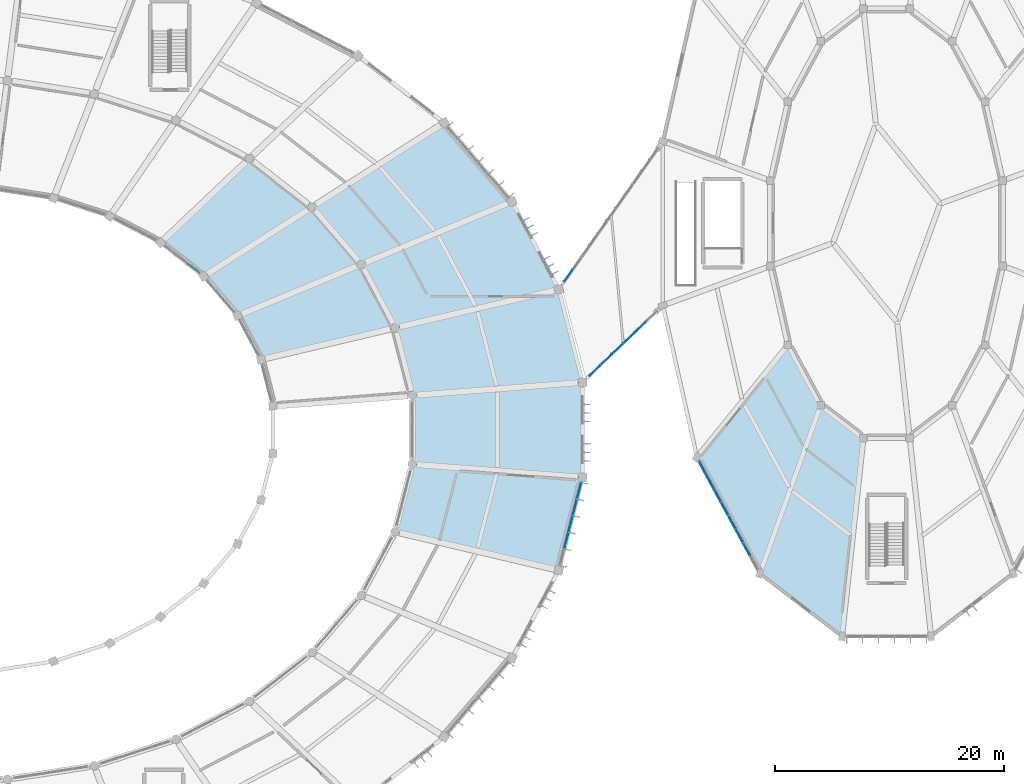
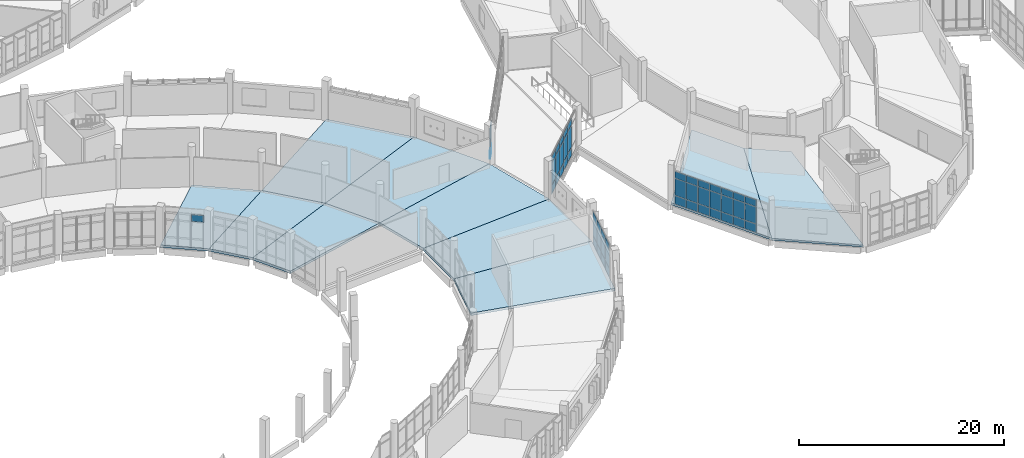
# One storey, part 99 of 179: 51 plates, 10 slabs, 5 elements without a shape of their own.
"""IFC4 building model written with IfcOpenShell, lengths in metres."""

from ifc_helpers import new_model, si_unit, direction, frame, origin, origin_2d, place, context, subcontext, project, spatial, polyline, rectangle, outline, extrude, material, layer, layer_set, type_object, element, aggregate, save


model = new_model("IFC4")

# Units and contexts
model_context = context("Model", 3, precision=1e-05, world=origin(), true_north=direction((0.0, 1.0)))
body_context = subcontext(model_context, "Body", "Model", "MODEL_VIEW")
ifc_project = project(units=[si_unit("LENGTHUNIT", "METRE"), si_unit("AREAUNIT", "SQUARE_METRE"), si_unit("VOLUMEUNIT", "CUBIC_METRE"), si_unit("PLANEANGLEUNIT", "RADIAN"), si_unit("MASSUNIT", "GRAM", prefix="KILO")], contexts=[model_context])

# Site, building, storey
site_placement = place(None, origin())
site = spatial("IfcSite", under=ifc_project, at=site_placement, CompositionType="ELEMENT")
building_placement = place(site_placement, origin())
building = spatial("IfcBuilding", under=site, at=building_placement, Name="Corvandel Quay Wholesale Market", CompositionType="ELEMENT")
storey_placement = place(building_placement, frame((0.0, 0.0, 6.0)))
storey = spatial("IfcBuildingStorey", under=building, at=storey_placement, Name="L01", CompositionType="ELEMENT", Elevation=6.0)

# Curtain wall, plate
ifc_material_1 = material(Name="Bronze anodised aluminium and low-E insulated glazing", Category="aluminium")
ifc_layer_1 = layer(ifc_material_1, 0.18603515625)
ifc_layer_set_1 = layer_set([ifc_layer_1], Name="Bronze anodised aluminium and low-E insulated glazing")
curtain_wall_type_1 = type_object("IfcCurtainWallType", Name="Stick Curtain Wall System CW18 H4620", PredefinedType="NOTDEFINED", material=ifc_layer_set_1)
curtain_wall_1_placement = place(storey_placement, origin())
curtain_wall_1 = element("IfcCurtainWall", 1, at=curtain_wall_1_placement, inside=storey, type_object=curtain_wall_type_1, Name="Curtain Wall CW-0010", PredefinedType="NOTDEFINED")
ifc_material_2 = material(Name="Solar-control low-E insulated glazing", Category="glass")
ifc_layer_2 = layer(ifc_material_2, 0.0400390625)
ifc_layer_set_2 = layer_set([ifc_layer_2], Name="Solar-control low-E insulated glazing")
plate_type_1 = type_object("IfcPlateType", Name="Ceramic Fritted Spandrel Panel PN03 40mm", PredefinedType="CURTAIN_PANEL", material=ifc_layer_set_2)
plate_1_placement = place(storey_placement, frame((134.10302734375, 56.062744140625, 3.1298828125), z_axis=(0.0, 0.0, 1.0), x_axis=(-0.789405615633, 0.613871952452, 0.0)))
plate_1 = element("IfcPlate", 2, at=plate_1_placement, type_object=plate_type_1, Name="Glazing Panel CW-0010-P00-2", PredefinedType="CURTAIN_PANEL", context=body_context, shape_type="SweptSolid", body=[
    extrude(rectangle(XDim=1.216552734375, YDim=0.0400390625, at=origin_2d()), origin(), (0.0, 0.0, 1.0), 0.7900390625),
])
aggregate(curtain_wall_1, [plate_1])

# Curtain wall, plates
ifc_layer_3 = layer(ifc_material_1, 0.174072265625)
ifc_layer_set_3 = layer_set([ifc_layer_3], Name="Bronze anodised aluminium and low-E insulated glazing")
curtain_wall_type_2 = type_object("IfcCurtainWallType", Name="Stick Curtain Wall System CW07 H3630", PredefinedType="NOTDEFINED", material=ifc_layer_set_3)
curtain_wall_2_placement = place(storey_placement, origin())
curtain_wall_2 = element("IfcCurtainWall", 3, at=curtain_wall_2_placement, inside=storey, type_object=curtain_wall_type_2, Name="Curtain Wall CW-0088", PredefinedType="NOTDEFINED")
plate_2_placement = place(storey_placement, frame((166.592041015625, 32.357666015625, 3.1298828125), z_axis=(0.0, 0.0, 1.0), x_axis=(0.247675453076, 0.968843057437, 0.0)))
plate_2 = element("IfcPlate", 4, at=plate_2_placement, type_object=plate_type_1, Name="Glazing Panel CW-0088-P01-2", PredefinedType="CURTAIN_PANEL", context=body_context, shape_type="SweptSolid", body=[
    extrude(rectangle(XDim=1.429931640625, YDim=0.0400390625, at=origin_2d()), origin(), (0.0, 0.0, 1.0), 0.7900390625),
])
plate_3_placement = place(storey_placement, frame((166.96240234375, 33.805908203125, 3.1298828125), z_axis=(0.0, 0.0, 1.0), x_axis=(0.247675453076, 0.968843057437, 0.0)))
plate_3 = element("IfcPlate", 5, at=plate_3_placement, type_object=plate_type_1, Name="Glazing Panel CW-0088-P02-2", PredefinedType="CURTAIN_PANEL", context=body_context, shape_type="SweptSolid", body=[
    extrude(rectangle(XDim=1.429931640625, YDim=0.0400390625, at=origin_2d()), origin(), (0.0, 0.0, 1.0), 0.7900390625),
])
plate_4_placement = place(storey_placement, frame((167.3330078125, 35.25439453125, 3.1298828125), z_axis=(0.0, 0.0, 1.0), x_axis=(0.247675453076, 0.968843057437, 0.0)))
plate_4 = element("IfcPlate", 6, at=plate_4_placement, type_object=plate_type_1, Name="Glazing Panel CW-0088-P03-2", PredefinedType="CURTAIN_PANEL", context=body_context, shape_type="SweptSolid", body=[
    extrude(rectangle(XDim=1.429931640625, YDim=0.0400390625, at=origin_2d()), origin(), (0.0, 0.0, 1.0), 0.7900390625),
])
plate_5_placement = place(storey_placement, frame((167.703369140625, 36.702880859375, 3.1298828125), z_axis=(0.0, 0.0, 1.0), x_axis=(0.247675453076, 0.968843057437, 0.0)))
plate_5 = element("IfcPlate", 7, at=plate_5_placement, type_object=plate_type_1, Name="Glazing Panel CW-0088-P04-2", PredefinedType="CURTAIN_PANEL", context=body_context, shape_type="SweptSolid", body=[
    extrude(rectangle(XDim=1.429931640625, YDim=0.0400390625, at=origin_2d()), origin(), (0.0, 0.0, 1.0), 0.7900390625),
])

ifc_layer_4 = layer(ifc_material_1, 0.197998046875)
ifc_layer_set_4 = layer_set([ifc_layer_4], Name="Bronze anodised aluminium and low-E insulated glazing")
curtain_wall_type_3 = type_object("IfcCurtainWallType", Name="Stick Curtain Wall System CW19 H4710", PredefinedType="NOTDEFINED", material=ifc_layer_set_4)
curtain_wall_3_placement = place(storey_placement, origin())
curtain_wall_3 = element("IfcCurtainWall", 8, at=curtain_wall_3_placement, inside=storey, type_object=curtain_wall_type_3, Name="Curtain Wall CW-0137", PredefinedType="NOTDEFINED")
plate_6_placement = place(storey_placement, frame((178.478515625, 38.667236328125, 3.1298828125), z_axis=(0.0, 0.0, 1.0), x_axis=(-0.476238203668, 0.879316310191, 0.0)))
plate_6 = element("IfcPlate", 9, at=plate_6_placement, type_object=plate_type_1, Name="Glazing Panel CW-0137-P00-2", PredefinedType="CURTAIN_PANEL", context=body_context, shape_type="SweptSolid", body=[
    extrude(rectangle(XDim=1.274658203125, YDim=0.0400390625, at=origin_2d()), origin(), (0.0, 0.0, 1.0), 0.7900390625),
])
plate_7_placement = place(storey_placement, frame((179.116455078125, 37.489501953125, 3.1298828125), z_axis=(0.0, 0.0, 1.0), x_axis=(-0.476238203668, 0.879316310191, 0.0)))
plate_7 = element("IfcPlate", 10, at=plate_7_placement, type_object=plate_type_1, Name="Glazing Panel CW-0137-P01-2", PredefinedType="CURTAIN_PANEL", context=body_context, shape_type="SweptSolid", body=[
    extrude(rectangle(XDim=1.274658203125, YDim=0.0400390625, at=origin_2d()), origin(), (0.0, 0.0, 1.0), 0.7900390625),
])
plate_8_placement = place(storey_placement, frame((179.75439453125, 36.311279296875, 3.1298828125), z_axis=(0.0, 0.0, 1.0), x_axis=(-0.476238203668, 0.879316310191, 0.0)))
plate_8 = element("IfcPlate", 11, at=plate_8_placement, type_object=plate_type_1, Name="Glazing Panel CW-0137-P02-2", PredefinedType="CURTAIN_PANEL", context=body_context, shape_type="SweptSolid", body=[
    extrude(rectangle(XDim=1.274658203125, YDim=0.0400390625, at=origin_2d()), origin(), (0.0, 0.0, 1.0), 0.7900390625),
])
plate_9_placement = place(storey_placement, frame((180.392578125, 35.133544921875, 3.1298828125), z_axis=(0.0, 0.0, 1.0), x_axis=(-0.476238203668, 0.879316310191, 0.0)))
plate_9 = element("IfcPlate", 12, at=plate_9_placement, type_object=plate_type_1, Name="Glazing Panel CW-0137-P03-2", PredefinedType="CURTAIN_PANEL", context=body_context, shape_type="SweptSolid", body=[
    extrude(rectangle(XDim=1.274658203125, YDim=0.0400390625, at=origin_2d()), origin(), (0.0, 0.0, 1.0), 0.7900390625),
])
plate_10_placement = place(storey_placement, frame((181.030517578125, 33.95556640625, 3.1298828125), z_axis=(0.0, 0.0, 1.0), x_axis=(-0.476238203668, 0.879316310191, 0.0)))
plate_10 = element("IfcPlate", 13, at=plate_10_placement, type_object=plate_type_1, Name="Glazing Panel CW-0137-P04-2", PredefinedType="CURTAIN_PANEL", context=body_context, shape_type="SweptSolid", body=[
    extrude(rectangle(XDim=1.274658203125, YDim=0.0400390625, at=origin_2d()), origin(), (0.0, 0.0, 1.0), 0.7900390625),
])
plate_11_placement = place(storey_placement, frame((181.66845703125, 32.777587890625, 3.1298828125), z_axis=(0.0, 0.0, 1.0), x_axis=(-0.476238203668, 0.879316310191, 0.0)))
plate_11 = element("IfcPlate", 14, at=plate_11_placement, type_object=plate_type_1, Name="Glazing Panel CW-0137-P05-2", PredefinedType="CURTAIN_PANEL", context=body_context, shape_type="SweptSolid", body=[
    extrude(rectangle(XDim=1.274658203125, YDim=0.0400390625, at=origin_2d()), origin(), (0.0, 0.0, 1.0), 0.7900390625),
])
plate_12_placement = place(storey_placement, frame((182.306396484375, 31.599609375, 3.1298828125), z_axis=(0.0, 0.0, 1.0), x_axis=(-0.476238203668, 0.879316310191, 0.0)))
plate_12 = element("IfcPlate", 15, at=plate_12_placement, type_object=plate_type_1, Name="Glazing Panel CW-0137-P06-2", PredefinedType="CURTAIN_PANEL", context=body_context, shape_type="SweptSolid", body=[
    extrude(rectangle(XDim=1.274658203125, YDim=0.0400390625, at=origin_2d()), origin(), (0.0, 0.0, 1.0), 0.7900390625),
])

ifc_layer_5 = layer(ifc_material_1, 0.14990234375)
ifc_layer_set_5 = layer_set([ifc_layer_5], Name="Bronze anodised aluminium and low-E insulated glazing")
curtain_wall_type_4 = type_object("IfcCurtainWallType", Name="Stick Curtain Wall System CW25 H5250", PredefinedType="NOTDEFINED", material=ifc_layer_set_5)
curtain_wall_4_placement = place(storey_placement, origin())
curtain_wall_4 = element("IfcCurtainWall", 16, at=curtain_wall_4_placement, inside=storey, type_object=curtain_wall_type_4, Name="Curtain Wall CW-0176", PredefinedType="NOTDEFINED")
plate_13_placement = place(storey_placement, frame((169.06640625, 47.157958984375, 3.7275390625), z_axis=(0.0, 0.0, 1.0), x_axis=(0.72236396206, 0.691513055782, 0.0)))
plate_13 = element("IfcPlate", 17, at=plate_13_placement, type_object=plate_type_1, Name="Glazing Panel CW-0176-P00-2", PredefinedType="CURTAIN_PANEL", context=body_context, shape_type="SweptSolid", body=[
    extrude(rectangle(XDim=1.312744140625, YDim=0.0400390625, at=origin_2d()), origin(), (0.0, 0.0, 1.0), 0.794921875),
])
plate_14_placement = place(storey_placement, frame((170.057861328125, 48.107421875, 3.7275390625), z_axis=(0.0, 0.0, 1.0), x_axis=(0.72236396206, 0.691513055782, 0.0)))
plate_14 = element("IfcPlate", 18, at=plate_14_placement, type_object=plate_type_1, Name="Glazing Panel CW-0176-P01-2", PredefinedType="CURTAIN_PANEL", context=body_context, shape_type="SweptSolid", body=[
    extrude(rectangle(XDim=1.312744140625, YDim=0.0400390625, at=origin_2d()), origin(), (0.0, 0.0, 1.0), 0.794921875),
])
plate_15_placement = place(storey_placement, frame((171.04931640625, 49.056640625, 3.7275390625), z_axis=(0.0, 0.0, 1.0), x_axis=(0.72236396206, 0.691513055782, 0.0)))
plate_15 = element("IfcPlate", 19, at=plate_15_placement, type_object=plate_type_1, Name="Glazing Panel CW-0176-P02-2", PredefinedType="CURTAIN_PANEL", context=body_context, shape_type="SweptSolid", body=[
    extrude(rectangle(XDim=1.312744140625, YDim=0.0400390625, at=origin_2d()), origin(), (0.0, 0.0, 1.0), 0.794921875),
])
plate_16_placement = place(storey_placement, frame((172.041015625, 50.005859375, 3.7275390625), z_axis=(0.0, 0.0, 1.0), x_axis=(0.72236396206, 0.691513055782, 0.0)))
plate_16 = element("IfcPlate", 20, at=plate_16_placement, type_object=plate_type_1, Name="Glazing Panel CW-0176-P03-2", PredefinedType="CURTAIN_PANEL", context=body_context, shape_type="SweptSolid", body=[
    extrude(rectangle(XDim=1.312744140625, YDim=0.0400390625, at=origin_2d()), origin(), (0.0, 0.0, 1.0), 0.794921875),
])
plate_17_placement = place(storey_placement, frame((173.032470703125, 50.955078125, 3.7275390625), z_axis=(0.0, 0.0, 1.0), x_axis=(0.72236396206, 0.691513055782, 0.0)))
plate_17 = element("IfcPlate", 21, at=plate_17_placement, type_object=plate_type_1, Name="Glazing Panel CW-0176-P04-2", PredefinedType="CURTAIN_PANEL", context=body_context, shape_type="SweptSolid", body=[
    extrude(rectangle(XDim=1.312744140625, YDim=0.0400390625, at=origin_2d()), origin(), (0.0, 0.0, 1.0), 0.794921875),
])

# Slabs
ifc_material_3 = material(Name="Concrete C40/50", Category="concrete")
ifc_layer_6 = layer(ifc_material_3, 0.239990234375)
ifc_layer_set_6 = layer_set([ifc_layer_6], Name="Concrete C40/50")
slab_type_1 = type_object("IfcSlabType", Name="Composite Raked Auction Tier Slab 240", PredefinedType="FLOOR", material=ifc_layer_set_6)
slab_1_placement = place(storey_placement, frame((0.0, 0.0, -0.239990234375)))
element("IfcSlab", 22, at=slab_1_placement, inside=storey, type_object=slab_type_1, Name="Slab SLB-0420", PredefinedType="FLOOR", context=body_context, shape_type="SweptSolid", body=[
    extrude(outline(polyline([(185.904052734375, 49.39599609375), (188.756103515625, 44.1298828125), (183.4541015625, 29.48095703125), (177.968994140625, 39.60791015625), (185.904052734375, 49.39599609375)])), origin(), (0.0, 0.0, 1.0), 0.239990234375),
])
slab_2_placement = place(storey_placement, frame((0.0, 0.0, -0.239990234375)))
element("IfcSlab", 23, at=slab_2_placement, inside=storey, type_object=slab_type_1, Name="Slab SLB-0424", PredefinedType="FLOOR", context=body_context, shape_type="SweptSolid", body=[
    extrude(outline(polyline([(188.756103515625, 44.1298828125), (192.48291015625, 41.280029296875), (190.62109375, 24.0), (183.4541015625, 29.48095703125), (188.756103515625, 44.1298828125)])), origin(), (0.0, 0.0, 1.0), 0.239990234375),
])
ifc_layer_7 = layer(ifc_material_3, 0.280029296875)
ifc_layer_set_7 = layer_set([ifc_layer_7], Name="Concrete C40/50")
slab_type_2 = type_object("IfcSlabType", Name="Composite Sorting Gallery Floor Slab 280", PredefinedType="FLOOR", material=ifc_layer_set_7)
slab_3_placement = place(storey_placement, frame((0.0, 0.0, -0.280029296875)))
element("IfcSlab", 24, at=slab_3_placement, inside=storey, type_object=slab_type_2, Name="Slab SLB-0010", PredefinedType="FLOOR", context=body_context, shape_type="SweptSolid", body=[
    extrude(outline(polyline([(139.9619140625, 48.125), (137.927001953125, 51.947021484375), (148.694091796875, 56.423095703125), (151.64501953125, 50.882080078125), (139.9619140625, 48.125)])), origin(), (0.0, 0.0, 1.0), 0.280029296875),
])
slab_4_placement = place(storey_placement, frame((0.0, 0.0, -0.280029296875)))
element("IfcSlab", 25, at=slab_4_placement, inside=storey, type_object=slab_type_2, Name="Slab SLB-0015", PredefinedType="FLOOR", context=body_context, shape_type="SweptSolid", body=[
    extrude(outline(polyline([(137.927001953125, 51.947021484375), (134.971923828125, 55.386962890625), (144.409912109375, 61.410888671875), (148.694091796875, 56.423095703125), (137.927001953125, 51.947021484375)])), origin(), (0.0, 0.0, 1.0), 0.280029296875),
])
slab_5_placement = place(storey_placement, frame((0.0, 0.0, -0.280029296875)))
element("IfcSlab", 26, at=slab_5_placement, inside=storey, type_object=slab_type_2, Name="Slab SLB-0020", PredefinedType="FLOOR", context=body_context, shape_type="SweptSolid", body=[
    extrude(outline(polyline([(134.971923828125, 55.386962890625), (131.2109375, 58.31201171875), (138.95703125, 65.652099609375), (144.409912109375, 61.410888671875), (134.971923828125, 55.386962890625)])), origin(), (0.0, 0.0, 1.0), 0.280029296875),
])
ifc_layer_8 = layer(ifc_material_3, 0.300048828125)
ifc_layer_set_8 = layer_set([ifc_layer_8], Name="Concrete C40/50")
slab_type_3 = type_object("IfcSlabType", Name="Composite Trading Gallery Floor Slab 300", PredefinedType="FLOOR", material=ifc_layer_set_8)
slab_6_placement = place(storey_placement, frame((0.0, 0.0, -0.300048828125)))
element("IfcSlab", 27, at=slab_6_placement, inside=storey, type_object=slab_type_3, Name="Slab SLB-0004", PredefinedType="FLOOR", context=body_context, shape_type="SweptSolid", body=[
    extrude(outline(polyline([(153.14990234375, 44.9990234375), (151.64501953125, 50.882080078125), (165.925048828125, 54.2509765625), (168.0, 46.136962890625), (153.14990234375, 44.9990234375)])), origin(), (0.0, 0.0, 1.0), 0.300048828125),
])
slab_7_placement = place(storey_placement, frame((0.0, 0.0, -0.300048828125)))
element("IfcSlab", 28, at=slab_7_placement, inside=storey, type_object=slab_type_3, Name="Slab SLB-0009", PredefinedType="FLOOR", context=body_context, shape_type="SweptSolid", body=[
    extrude(outline(polyline([(151.64501953125, 50.882080078125), (148.694091796875, 56.423095703125), (161.85400390625, 61.89404296875), (165.925048828125, 54.2509765625), (151.64501953125, 50.882080078125)])), origin(), (0.0, 0.0, 1.0), 0.300048828125),
])
slab_8_placement = place(storey_placement, frame((0.0, 0.0, -0.300048828125)))
element("IfcSlab", 29, at=slab_8_placement, inside=storey, type_object=slab_type_3, Name="Slab SLB-0014", PredefinedType="FLOOR", context=body_context, shape_type="SweptSolid", body=[
    extrude(outline(polyline([(148.694091796875, 56.423095703125), (144.409912109375, 61.410888671875), (155.945068359375, 68.77294921875), (161.85400390625, 61.89404296875), (148.694091796875, 56.423095703125)])), origin(), (0.0, 0.0, 1.0), 0.300048828125),
])
slab_9_placement = place(storey_placement, frame((0.0, 0.0, -0.300048828125)))
element("IfcSlab", 30, at=slab_9_placement, inside=storey, type_object=slab_type_3, Name="Slab SLB-0138", PredefinedType="FLOOR", context=body_context, shape_type="SweptSolid", body=[
    extrude(outline(polyline([(151.64501953125, 33.117919921875), (153.14990234375, 39.0009765625), (168.0, 37.863037109375), (165.925048828125, 29.7490234375), (151.64501953125, 33.117919921875)])), origin(), (0.0, 0.0, 1.0), 0.300048828125),
])
slab_10_placement = place(storey_placement, frame((0.0, 0.0, -0.300048828125)))
element("IfcSlab", 31, at=slab_10_placement, inside=storey, type_object=slab_type_3, Name="Slab SLB-0141", PredefinedType="FLOOR", context=body_context, shape_type="SweptSolid", body=[
    extrude(outline(polyline([(153.14990234375, 39.0009765625), (153.14990234375, 44.9990234375), (168.0, 46.136962890625), (168.0, 37.863037109375), (153.14990234375, 39.0009765625)])), origin(), (0.0, 0.0, 1.0), 0.300048828125),
])

# Plate
ifc_layer_9 = layer(ifc_material_2, 0.028076171875)
ifc_layer_set_9 = layer_set([ifc_layer_9], Name="Solar-control low-E insulated glazing")
plate_type_2 = type_object("IfcPlateType", Name="Double Low-E Vision Panel PN01 28mm", PredefinedType="CURTAIN_PANEL", material=ifc_layer_set_9)
plate_18_placement = place(storey_placement, frame((166.592041015625, 32.357666015625, 0.02978515625), z_axis=(0.0, 0.0, 1.0), x_axis=(0.247675453076, 0.968843057437, 0.0)))
plate_18 = element("IfcPlate", 32, at=plate_18_placement, type_object=plate_type_2, Name="Glazing Panel CW-0088-P01-0", PredefinedType="CURTAIN_PANEL", context=body_context, shape_type="SweptSolid", body=[
    extrude(rectangle(XDim=1.429931640625, YDim=0.028076171875, at=origin_2d()), origin(), (0.0, 0.0, 1.0), 0.989990234375),
])

plate_19_placement = place(storey_placement, frame((166.592041015625, 32.357666015625, 1.080078125), z_axis=(0.0, 0.0, 1.0), x_axis=(0.247675453076, 0.968843057437, 0.0)))
plate_19 = element("IfcPlate", 33, at=plate_19_placement, type_object=plate_type_2, Name="Glazing Panel CW-0088-P01-1", PredefinedType="CURTAIN_PANEL", context=body_context, shape_type="SweptSolid", body=[
    extrude(rectangle(XDim=1.429931640625, YDim=0.028076171875, at=origin_2d()), origin(), (0.0, 0.0, 1.0), 1.989990234375),
])

plate_20_placement = place(storey_placement, frame((166.96240234375, 33.805908203125, 0.02978515625), z_axis=(0.0, 0.0, 1.0), x_axis=(0.247675453076, 0.968843057437, 0.0)))
plate_20 = element("IfcPlate", 34, at=plate_20_placement, type_object=plate_type_2, Name="Glazing Panel CW-0088-P02-0", PredefinedType="CURTAIN_PANEL", context=body_context, shape_type="SweptSolid", body=[
    extrude(rectangle(XDim=1.429931640625, YDim=0.028076171875, at=origin_2d()), origin(), (0.0, 0.0, 1.0), 0.989990234375),
])

plate_21_placement = place(storey_placement, frame((166.96240234375, 33.805908203125, 1.080078125), z_axis=(0.0, 0.0, 1.0), x_axis=(0.247675453076, 0.968843057437, 0.0)))
plate_21 = element("IfcPlate", 35, at=plate_21_placement, type_object=plate_type_2, Name="Glazing Panel CW-0088-P02-1", PredefinedType="CURTAIN_PANEL", context=body_context, shape_type="SweptSolid", body=[
    extrude(rectangle(XDim=1.429931640625, YDim=0.028076171875, at=origin_2d()), origin(), (0.0, 0.0, 1.0), 1.989990234375),
])

plate_22_placement = place(storey_placement, frame((167.3330078125, 35.25439453125, 0.02978515625), z_axis=(0.0, 0.0, 1.0), x_axis=(0.247675453076, 0.968843057437, 0.0)))
plate_22 = element("IfcPlate", 36, at=plate_22_placement, type_object=plate_type_2, Name="Glazing Panel CW-0088-P03-0", PredefinedType="CURTAIN_PANEL", context=body_context, shape_type="SweptSolid", body=[
    extrude(rectangle(XDim=1.429931640625, YDim=0.028076171875, at=origin_2d()), origin(), (0.0, 0.0, 1.0), 0.989990234375),
])

plate_23_placement = place(storey_placement, frame((167.3330078125, 35.25439453125, 1.080078125), z_axis=(0.0, 0.0, 1.0), x_axis=(0.247675453076, 0.968843057437, 0.0)))
plate_23 = element("IfcPlate", 37, at=plate_23_placement, type_object=plate_type_2, Name="Glazing Panel CW-0088-P03-1", PredefinedType="CURTAIN_PANEL", context=body_context, shape_type="SweptSolid", body=[
    extrude(rectangle(XDim=1.429931640625, YDim=0.028076171875, at=origin_2d()), origin(), (0.0, 0.0, 1.0), 1.989990234375),
])

plate_24_placement = place(storey_placement, frame((167.703369140625, 36.702880859375, 0.02978515625), z_axis=(0.0, 0.0, 1.0), x_axis=(0.247675453076, 0.968843057437, 0.0)))
plate_24 = element("IfcPlate", 38, at=plate_24_placement, type_object=plate_type_2, Name="Glazing Panel CW-0088-P04-0", PredefinedType="CURTAIN_PANEL", context=body_context, shape_type="SweptSolid", body=[
    extrude(rectangle(XDim=1.429931640625, YDim=0.028076171875, at=origin_2d()), origin(), (0.0, 0.0, 1.0), 0.989990234375),
])

plate_25_placement = place(storey_placement, frame((167.703369140625, 36.702880859375, 1.080078125), z_axis=(0.0, 0.0, 1.0), x_axis=(0.247675453076, 0.968843057437, 0.0)))
plate_25 = element("IfcPlate", 39, at=plate_25_placement, type_object=plate_type_2, Name="Glazing Panel CW-0088-P04-1", PredefinedType="CURTAIN_PANEL", context=body_context, shape_type="SweptSolid", body=[
    extrude(rectangle(XDim=1.429931640625, YDim=0.028076171875, at=origin_2d()), origin(), (0.0, 0.0, 1.0), 1.989990234375),
])

aggregate(curtain_wall_2, [plate_18, plate_19, plate_2, plate_20, plate_21, plate_3, plate_22, plate_23, plate_4, plate_24, plate_25, plate_5])

plate_26_placement = place(storey_placement, frame((178.478515625, 38.667236328125, 0.02978515625), z_axis=(0.0, 0.0, 1.0), x_axis=(-0.476238203668, 0.879316310191, 0.0)))
plate_26 = element("IfcPlate", 40, at=plate_26_placement, type_object=plate_type_2, Name="Glazing Panel CW-0137-P00-0", PredefinedType="CURTAIN_PANEL", context=body_context, shape_type="SweptSolid", body=[
    extrude(rectangle(XDim=1.274658203125, YDim=0.028076171875, at=origin_2d()), origin(), (0.0, 0.0, 1.0), 0.989990234375),
])

plate_27_placement = place(storey_placement, frame((178.478515625, 38.667236328125, 1.080078125), z_axis=(0.0, 0.0, 1.0), x_axis=(-0.476238203668, 0.879316310191, 0.0)))
plate_27 = element("IfcPlate", 41, at=plate_27_placement, type_object=plate_type_2, Name="Glazing Panel CW-0137-P00-1", PredefinedType="CURTAIN_PANEL", context=body_context, shape_type="SweptSolid", body=[
    extrude(rectangle(XDim=1.274658203125, YDim=0.028076171875, at=origin_2d()), origin(), (0.0, 0.0, 1.0), 1.989990234375),
])

plate_28_placement = place(storey_placement, frame((179.116455078125, 37.489501953125, 0.02978515625), z_axis=(0.0, 0.0, 1.0), x_axis=(-0.476238203668, 0.879316310191, 0.0)))
plate_28 = element("IfcPlate", 42, at=plate_28_placement, type_object=plate_type_2, Name="Glazing Panel CW-0137-P01-0", PredefinedType="CURTAIN_PANEL", context=body_context, shape_type="SweptSolid", body=[
    extrude(rectangle(XDim=1.274658203125, YDim=0.028076171875, at=origin_2d()), origin(), (0.0, 0.0, 1.0), 0.989990234375),
])

plate_29_placement = place(storey_placement, frame((179.116455078125, 37.489501953125, 1.080078125), z_axis=(0.0, 0.0, 1.0), x_axis=(-0.476238203668, 0.879316310191, 0.0)))
plate_29 = element("IfcPlate", 43, at=plate_29_placement, type_object=plate_type_2, Name="Glazing Panel CW-0137-P01-1", PredefinedType="CURTAIN_PANEL", context=body_context, shape_type="SweptSolid", body=[
    extrude(rectangle(XDim=1.274658203125, YDim=0.028076171875, at=origin_2d()), origin(), (0.0, 0.0, 1.0), 1.989990234375),
])

plate_30_placement = place(storey_placement, frame((179.75439453125, 36.311279296875, 0.02978515625), z_axis=(0.0, 0.0, 1.0), x_axis=(-0.476238203668, 0.879316310191, 0.0)))
plate_30 = element("IfcPlate", 44, at=plate_30_placement, type_object=plate_type_2, Name="Glazing Panel CW-0137-P02-0", PredefinedType="CURTAIN_PANEL", context=body_context, shape_type="SweptSolid", body=[
    extrude(rectangle(XDim=1.274658203125, YDim=0.028076171875, at=origin_2d()), origin(), (0.0, 0.0, 1.0), 0.989990234375),
])

plate_31_placement = place(storey_placement, frame((179.75439453125, 36.311279296875, 1.080078125), z_axis=(0.0, 0.0, 1.0), x_axis=(-0.476238203668, 0.879316310191, 0.0)))
plate_31 = element("IfcPlate", 45, at=plate_31_placement, type_object=plate_type_2, Name="Glazing Panel CW-0137-P02-1", PredefinedType="CURTAIN_PANEL", context=body_context, shape_type="SweptSolid", body=[
    extrude(rectangle(XDim=1.274658203125, YDim=0.028076171875, at=origin_2d()), origin(), (0.0, 0.0, 1.0), 1.989990234375),
])

plate_32_placement = place(storey_placement, frame((180.392578125, 35.133544921875, 0.02978515625), z_axis=(0.0, 0.0, 1.0), x_axis=(-0.476238203668, 0.879316310191, 0.0)))
plate_32 = element("IfcPlate", 46, at=plate_32_placement, type_object=plate_type_2, Name="Glazing Panel CW-0137-P03-0", PredefinedType="CURTAIN_PANEL", context=body_context, shape_type="SweptSolid", body=[
    extrude(rectangle(XDim=1.274658203125, YDim=0.028076171875, at=origin_2d()), origin(), (0.0, 0.0, 1.0), 0.989990234375),
])

plate_33_placement = place(storey_placement, frame((180.392578125, 35.133544921875, 1.080078125), z_axis=(0.0, 0.0, 1.0), x_axis=(-0.476238203668, 0.879316310191, 0.0)))
plate_33 = element("IfcPlate", 47, at=plate_33_placement, type_object=plate_type_2, Name="Glazing Panel CW-0137-P03-1", PredefinedType="CURTAIN_PANEL", context=body_context, shape_type="SweptSolid", body=[
    extrude(rectangle(XDim=1.274658203125, YDim=0.028076171875, at=origin_2d()), origin(), (0.0, 0.0, 1.0), 1.989990234375),
])

plate_34_placement = place(storey_placement, frame((181.030517578125, 33.95556640625, 0.02978515625), z_axis=(0.0, 0.0, 1.0), x_axis=(-0.476238203668, 0.879316310191, 0.0)))
plate_34 = element("IfcPlate", 48, at=plate_34_placement, type_object=plate_type_2, Name="Glazing Panel CW-0137-P04-0", PredefinedType="CURTAIN_PANEL", context=body_context, shape_type="SweptSolid", body=[
    extrude(rectangle(XDim=1.274658203125, YDim=0.028076171875, at=origin_2d()), origin(), (0.0, 0.0, 1.0), 0.989990234375),
])

plate_35_placement = place(storey_placement, frame((181.030517578125, 33.95556640625, 1.080078125), z_axis=(0.0, 0.0, 1.0), x_axis=(-0.476238203668, 0.879316310191, 0.0)))
plate_35 = element("IfcPlate", 49, at=plate_35_placement, type_object=plate_type_2, Name="Glazing Panel CW-0137-P04-1", PredefinedType="CURTAIN_PANEL", context=body_context, shape_type="SweptSolid", body=[
    extrude(rectangle(XDim=1.274658203125, YDim=0.028076171875, at=origin_2d()), origin(), (0.0, 0.0, 1.0), 1.989990234375),
])

plate_36_placement = place(storey_placement, frame((181.66845703125, 32.777587890625, 0.02978515625), z_axis=(0.0, 0.0, 1.0), x_axis=(-0.476238203668, 0.879316310191, 0.0)))
plate_36 = element("IfcPlate", 50, at=plate_36_placement, type_object=plate_type_2, Name="Glazing Panel CW-0137-P05-0", PredefinedType="CURTAIN_PANEL", context=body_context, shape_type="SweptSolid", body=[
    extrude(rectangle(XDim=1.274658203125, YDim=0.028076171875, at=origin_2d()), origin(), (0.0, 0.0, 1.0), 0.989990234375),
])

plate_37_placement = place(storey_placement, frame((181.66845703125, 32.777587890625, 1.080078125), z_axis=(0.0, 0.0, 1.0), x_axis=(-0.476238203668, 0.879316310191, 0.0)))
plate_37 = element("IfcPlate", 51, at=plate_37_placement, type_object=plate_type_2, Name="Glazing Panel CW-0137-P05-1", PredefinedType="CURTAIN_PANEL", context=body_context, shape_type="SweptSolid", body=[
    extrude(rectangle(XDim=1.274658203125, YDim=0.028076171875, at=origin_2d()), origin(), (0.0, 0.0, 1.0), 1.989990234375),
])

plate_38_placement = place(storey_placement, frame((182.306396484375, 31.599609375, 0.02978515625), z_axis=(0.0, 0.0, 1.0), x_axis=(-0.476238203668, 0.879316310191, 0.0)))
plate_38 = element("IfcPlate", 52, at=plate_38_placement, type_object=plate_type_2, Name="Glazing Panel CW-0137-P06-0", PredefinedType="CURTAIN_PANEL", context=body_context, shape_type="SweptSolid", body=[
    extrude(rectangle(XDim=1.274658203125, YDim=0.028076171875, at=origin_2d()), origin(), (0.0, 0.0, 1.0), 0.989990234375),
])

plate_39_placement = place(storey_placement, frame((182.306396484375, 31.599609375, 1.080078125), z_axis=(0.0, 0.0, 1.0), x_axis=(-0.476238203668, 0.879316310191, 0.0)))
plate_39 = element("IfcPlate", 53, at=plate_39_placement, type_object=plate_type_2, Name="Glazing Panel CW-0137-P06-1", PredefinedType="CURTAIN_PANEL", context=body_context, shape_type="SweptSolid", body=[
    extrude(rectangle(XDim=1.274658203125, YDim=0.028076171875, at=origin_2d()), origin(), (0.0, 0.0, 1.0), 1.989990234375),
])

aggregate(curtain_wall_3, [plate_26, plate_27, plate_6, plate_28, plate_29, plate_7, plate_30, plate_31, plate_8, plate_32, plate_33, plate_9, plate_34, plate_35, plate_10, plate_36, plate_37, plate_11, plate_38, plate_39, plate_12])

plate_40_placement = place(storey_placement, frame((169.06640625, 47.157958984375, -0.00244140625), z_axis=(0.0, 0.0, 1.0), x_axis=(0.72236396206, 0.691513055782, 0.0)))
plate_40 = element("IfcPlate", 54, at=plate_40_placement, type_object=plate_type_2, Name="Glazing Panel CW-0176-P00-0", PredefinedType="CURTAIN_PANEL", context=body_context, shape_type="SweptSolid", body=[
    extrude(rectangle(XDim=1.312744140625, YDim=0.028076171875, at=origin_2d()), origin(), (0.0, 0.0, 1.0), 0.9951171875),
])

plate_41_placement = place(storey_placement, frame((169.06640625, 47.157958984375, 1.047607421875), z_axis=(0.0, 0.0, 1.0), x_axis=(0.72236396206, 0.691513055782, 0.0)))
plate_41 = element("IfcPlate", 55, at=plate_41_placement, type_object=plate_type_2, Name="Glazing Panel CW-0176-P00-1", PredefinedType="CURTAIN_PANEL", context=body_context, shape_type="SweptSolid", body=[
    extrude(rectangle(XDim=1.312744140625, YDim=0.028076171875, at=origin_2d()), origin(), (0.0, 0.0, 1.0), 2.625),
])

plate_42_placement = place(storey_placement, frame((170.057861328125, 48.107421875, -0.00244140625), z_axis=(0.0, 0.0, 1.0), x_axis=(0.72236396206, 0.691513055782, 0.0)))
plate_42 = element("IfcPlate", 56, at=plate_42_placement, type_object=plate_type_2, Name="Glazing Panel CW-0176-P01-0", PredefinedType="CURTAIN_PANEL", context=body_context, shape_type="SweptSolid", body=[
    extrude(rectangle(XDim=1.312744140625, YDim=0.028076171875, at=origin_2d()), origin(), (0.0, 0.0, 1.0), 0.9951171875),
])

plate_43_placement = place(storey_placement, frame((170.057861328125, 48.107421875, 1.047607421875), z_axis=(0.0, 0.0, 1.0), x_axis=(0.72236396206, 0.691513055782, 0.0)))
plate_43 = element("IfcPlate", 57, at=plate_43_placement, type_object=plate_type_2, Name="Glazing Panel CW-0176-P01-1", PredefinedType="CURTAIN_PANEL", context=body_context, shape_type="SweptSolid", body=[
    extrude(rectangle(XDim=1.312744140625, YDim=0.028076171875, at=origin_2d()), origin(), (0.0, 0.0, 1.0), 2.625),
])

plate_44_placement = place(storey_placement, frame((171.04931640625, 49.056640625, -0.00244140625), z_axis=(0.0, 0.0, 1.0), x_axis=(0.72236396206, 0.691513055782, 0.0)))
plate_44 = element("IfcPlate", 58, at=plate_44_placement, type_object=plate_type_2, Name="Glazing Panel CW-0176-P02-0", PredefinedType="CURTAIN_PANEL", context=body_context, shape_type="SweptSolid", body=[
    extrude(rectangle(XDim=1.312744140625, YDim=0.028076171875, at=origin_2d()), origin(), (0.0, 0.0, 1.0), 0.9951171875),
])

plate_45_placement = place(storey_placement, frame((171.04931640625, 49.056640625, 1.047607421875), z_axis=(0.0, 0.0, 1.0), x_axis=(0.72236396206, 0.691513055782, 0.0)))
plate_45 = element("IfcPlate", 59, at=plate_45_placement, type_object=plate_type_2, Name="Glazing Panel CW-0176-P02-1", PredefinedType="CURTAIN_PANEL", context=body_context, shape_type="SweptSolid", body=[
    extrude(rectangle(XDim=1.312744140625, YDim=0.028076171875, at=origin_2d()), origin(), (0.0, 0.0, 1.0), 2.625),
])

plate_46_placement = place(storey_placement, frame((172.041015625, 50.005859375, -0.00244140625), z_axis=(0.0, 0.0, 1.0), x_axis=(0.72236396206, 0.691513055782, 0.0)))
plate_46 = element("IfcPlate", 60, at=plate_46_placement, type_object=plate_type_2, Name="Glazing Panel CW-0176-P03-0", PredefinedType="CURTAIN_PANEL", context=body_context, shape_type="SweptSolid", body=[
    extrude(rectangle(XDim=1.312744140625, YDim=0.028076171875, at=origin_2d()), origin(), (0.0, 0.0, 1.0), 0.9951171875),
])

plate_47_placement = place(storey_placement, frame((172.041015625, 50.005859375, 1.047607421875), z_axis=(0.0, 0.0, 1.0), x_axis=(0.72236396206, 0.691513055782, 0.0)))
plate_47 = element("IfcPlate", 61, at=plate_47_placement, type_object=plate_type_2, Name="Glazing Panel CW-0176-P03-1", PredefinedType="CURTAIN_PANEL", context=body_context, shape_type="SweptSolid", body=[
    extrude(rectangle(XDim=1.312744140625, YDim=0.028076171875, at=origin_2d()), origin(), (0.0, 0.0, 1.0), 2.625),
])

plate_48_placement = place(storey_placement, frame((173.032470703125, 50.955078125, -0.00244140625), z_axis=(0.0, 0.0, 1.0), x_axis=(0.72236396206, 0.691513055782, 0.0)))
plate_48 = element("IfcPlate", 62, at=plate_48_placement, type_object=plate_type_2, Name="Glazing Panel CW-0176-P04-0", PredefinedType="CURTAIN_PANEL", context=body_context, shape_type="SweptSolid", body=[
    extrude(rectangle(XDim=1.312744140625, YDim=0.028076171875, at=origin_2d()), origin(), (0.0, 0.0, 1.0), 0.9951171875),
])

plate_49_placement = place(storey_placement, frame((173.032470703125, 50.955078125, 1.047607421875), z_axis=(0.0, 0.0, 1.0), x_axis=(0.72236396206, 0.691513055782, 0.0)))
plate_49 = element("IfcPlate", 63, at=plate_49_placement, type_object=plate_type_2, Name="Glazing Panel CW-0176-P04-1", PredefinedType="CURTAIN_PANEL", context=body_context, shape_type="SweptSolid", body=[
    extrude(rectangle(XDim=1.312744140625, YDim=0.028076171875, at=origin_2d()), origin(), (0.0, 0.0, 1.0), 2.625),
])

aggregate(curtain_wall_4, [plate_40, plate_41, plate_13, plate_42, plate_43, plate_14, plate_44, plate_45, plate_15, plate_46, plate_47, plate_16, plate_48, plate_49, plate_17])

# Curtain wall, plates
ifc_layer_10 = layer(ifc_material_1, 0.162109375)
ifc_layer_set_10 = layer_set([ifc_layer_10], Name="Bronze anodised aluminium and low-E insulated glazing")
curtain_wall_type_5 = type_object("IfcCurtainWallType", Name="Stick Curtain Wall System CW26 H5340", PredefinedType="NOTDEFINED", material=ifc_layer_set_10)
curtain_wall_5_placement = place(storey_placement, origin())
curtain_wall_5 = element("IfcCurtainWall", 64, at=curtain_wall_5_placement, inside=storey, type_object=curtain_wall_type_5, Name="Curtain Wall CW-0177", PredefinedType="NOTDEFINED")
plate_50_placement = place(storey_placement, frame((166.75390625, 55.43017578125, -0.00244140625), z_axis=(0.0, 0.0, 1.0), x_axis=(0.575148037348, 0.818049347616, 0.0)))
plate_50 = element("IfcPlate", 65, at=plate_50_placement, type_object=plate_type_2, Name="Glazing Panel CW-0177-P00-0", PredefinedType="CURTAIN_PANEL", context=body_context, shape_type="SweptSolid", body=[
    extrude(rectangle(XDim=1.2421875, YDim=0.028076171875, at=origin_2d()), origin(), (0.0, 0.0, 1.0), 0.9951171875),
])
plate_51_placement = place(storey_placement, frame((166.75390625, 55.43017578125, 1.047607421875), z_axis=(0.0, 0.0, 1.0), x_axis=(0.575148037348, 0.818049347616, 0.0)))
plate_51 = element("IfcPlate", 66, at=plate_51_placement, type_object=plate_type_2, Name="Glazing Panel CW-0177-P00-1", PredefinedType="CURTAIN_PANEL", context=body_context, shape_type="SweptSolid", body=[
    extrude(rectangle(XDim=1.2421875, YDim=0.028076171875, at=origin_2d()), origin(), (0.0, 0.0, 1.0), 2.625),
])
aggregate(curtain_wall_5, [plate_50, plate_51])

save(model, "model.ifc")
